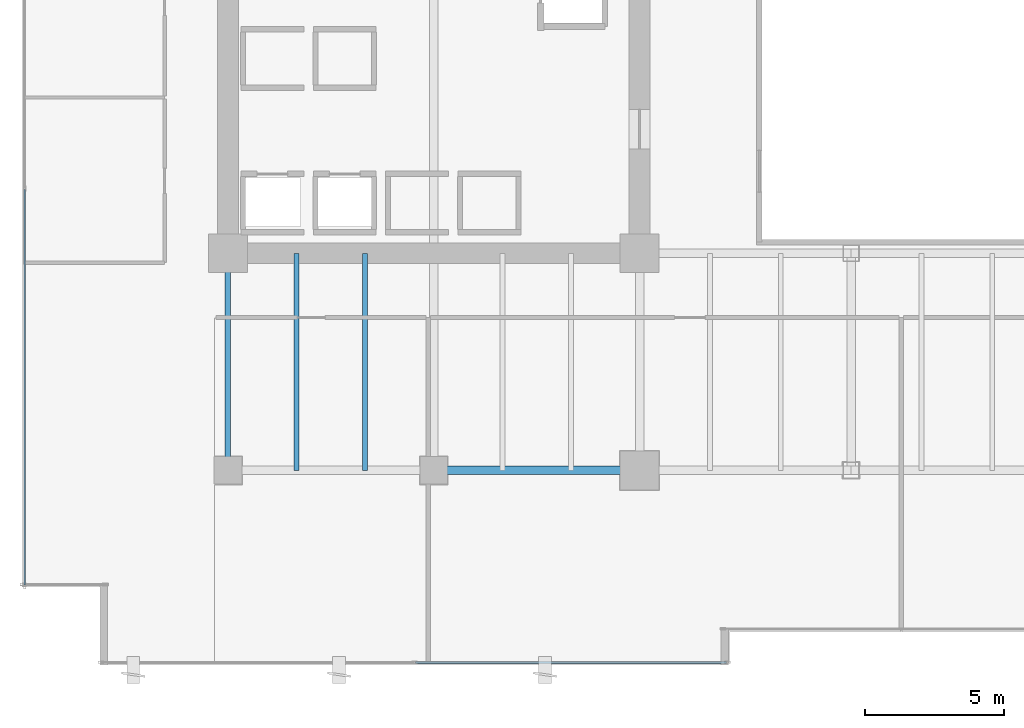
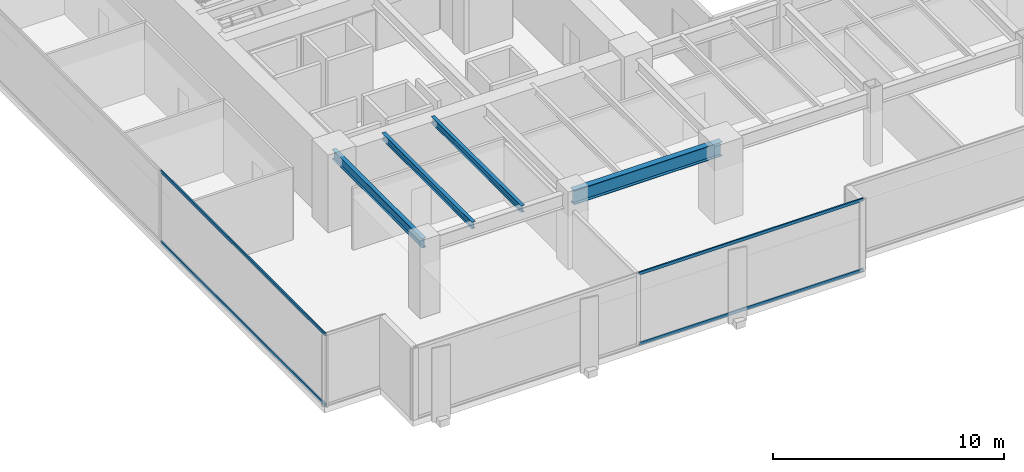
# One storey, part 3 of 37: 4 beams, 4 members, 2 elements without a shape of their own.
"""IFC4 building model written with IfcOpenShell, lengths in metres."""

import ifcopenshell
import ifcopenshell.guid

model = None  # the IFC model being written
_history = None  # IfcOwnerHistory: only IFC2X3 demands one
_inside = {}  # id of a spatial element -> (the spatial element, [elements in it])
_under = {}  # id of a project, library or spatial element -> (it, [spatial elements below it])
_declared = {}  # id of a project -> (the project, [libraries it declares])
_typed = {}  # id of a type object -> (the type object, [elements of that type])
_made_of = {}  # id of a material, layer set ... -> (it, [elements and type objects made of it])


def new_model(schema):
    """Start an empty IFC model of exactly this schema.

    Asked for "IFC4X3", IfcOpenShell would pick the latest addendum, in which some entities
    have other attributes; the version numbers below select the first issue.
    IFC2X3 requires an IfcOwnerHistory on every rooted entity: one is made here for all.
    """
    global model, _history
    if schema == "IFC4X3":
        model = ifcopenshell.file(schema_version=(4, 3, 0, 0))
    else:
        model = ifcopenshell.file(schema=schema)
    _inside.clear()
    _under.clear()
    _declared.clear()
    _typed.clear()
    _made_of.clear()
    _history = None
    if model.schema == "IFC2X3":
        org = make("IfcOrganization", Name="unknown")
        user = make(
            "IfcPersonAndOrganization",
            ThePerson=make("IfcPerson", FamilyName="unknown"),
            TheOrganization=org,
        )
        app = make(
            "IfcApplication",
            ApplicationDeveloper=org,
            Version="unknown",
            ApplicationFullName="unknown",
            ApplicationIdentifier="unknown",
        )
        _history = make(
            "IfcOwnerHistory",
            OwningUser=user,
            OwningApplication=app,
            ChangeAction="ADDED",
            CreationDate=0,
        )
    return model


def make(cls, **values):
    """One entity of the class cls with the attributes given. An attribute that is None is left unset."""
    return model.create_entity(
        cls, **{name: value for name, value in values.items() if value is not None}
    )


def rooted(cls, **values):
    """An entity with a GlobalId (a new one), such as an element, a storey or a relation."""
    return make(cls, GlobalId=ifcopenshell.guid.new(), OwnerHistory=_history, **values)


def si_unit(unit_type, name, prefix=None):
    """IfcSIUnit, for example si_unit("LENGTHUNIT", "METRE", prefix="MILLI")."""
    return make("IfcSIUnit", UnitType=unit_type, Prefix=prefix, Name=name)


def assignment(units):
    """IfcUnitAssignment: the units of a project."""
    return None if units is None else make("IfcUnitAssignment", Units=units)


def point(xyz):
    """IfcCartesianPoint."""
    return None if xyz is None else make("IfcCartesianPoint", Coordinates=xyz)


def direction(xyz):
    """IfcDirection."""
    return None if xyz is None else make("IfcDirection", DirectionRatios=xyz)


def frame(location, z_axis=None, x_axis=None):
    """IfcAxis2Placement3D, a coordinate frame: its origin and axes. An axis left out is left unset."""
    return make(
        "IfcAxis2Placement3D",
        Location=point(location),
        Axis=direction(z_axis),
        RefDirection=direction(x_axis),
    )


def frame_2d(location, x_axis=None):
    """IfcAxis2Placement2D, a coordinate frame in the plane: its origin and x axis."""
    return make(
        "IfcAxis2Placement2D", Location=point(location), RefDirection=direction(x_axis)
    )


def origin():
    """The frame at (0, 0, 0) with its axes left unset."""
    return frame((0.0, 0.0, 0.0))


def origin_2d():
    """The frame at (0, 0) in the plane with its x axis left unset."""
    return frame_2d((0.0, 0.0))


def place(relative_to, where):
    """IfcLocalPlacement: puts the frame where relative to a parent placement (None: the world)."""
    return make(
        "IfcLocalPlacement", PlacementRelTo=relative_to, RelativePlacement=where
    )


def context(
    kind, dimensions, precision=None, world=None, true_north=None, identifier=None
):
    """IfcGeometricRepresentationContext, for example the 3D "Model" context."""
    return make(
        "IfcGeometricRepresentationContext",
        ContextIdentifier=identifier,
        ContextType=kind,
        CoordinateSpaceDimension=dimensions,
        Precision=precision,
        WorldCoordinateSystem=world,
        TrueNorth=true_north,
    )


def subcontext(parent, identifier, kind, view, scale=None):
    """IfcGeometricRepresentationSubContext, for example "Body" below "Model"."""
    return make(
        "IfcGeometricRepresentationSubContext",
        ContextIdentifier=identifier,
        ContextType=kind,
        ParentContext=parent,
        TargetScale=scale,
        TargetView=view,
    )


def project(units=None, contexts=None):
    """IfcProject with its units and contexts."""
    return rooted(
        "IfcProject",
        Name="project",
        RepresentationContexts=contexts,
        UnitsInContext=assignment(units),
    )


def spatial(cls, under=None, at=None, **own):
    """A site, building, storey or space (cls), placed at a placement, below another one or the project."""
    s = rooted(cls, ObjectPlacement=at, **own)
    if under is not None:
        _under.setdefault(under.id(), (under, []))[1].append(s)
    return s


def profile(cls, at=None, kind="AREA", **sizes):
    """A parametric profile (cls). Its sizes go by their IFC names, for example OverallWidth=200.0."""
    return make(cls, ProfileType=kind, Position=at, **sizes)


def hollow_rectangle(**sizes):
    """IfcRectangleHollowProfileDef."""
    return profile("IfcRectangleHollowProfileDef", **sizes)


def i_section(**sizes):
    """IfcIShapeProfileDef."""
    return profile("IfcIShapeProfileDef", **sizes)


def extrude(swept, where, along, depth):
    """IfcExtrudedAreaSolid: the profile swept, set in the frame where, extruded along a direction by depth."""
    return make(
        "IfcExtrudedAreaSolid",
        SweptArea=swept,
        Position=where,
        ExtrudedDirection=direction(along),
        Depth=depth,
    )


def shape(context_of_items, identifier, shape_type, items):
    """IfcShapeRepresentation: the items that make up one representation, for example the "Body"."""
    return make(
        "IfcShapeRepresentation",
        ContextOfItems=context_of_items,
        RepresentationIdentifier=identifier,
        RepresentationType=shape_type,
        Items=items,
    )


def source(mapping_origin, context_of_items, identifier, shape_type, items):
    """IfcRepresentationMap: a shape defined once, which mapped items show again and again."""
    return make(
        "IfcRepresentationMap",
        MappingOrigin=mapping_origin,
        MappedRepresentation=shape(context_of_items, identifier, shape_type, items),
    )


def transform(
    local_origin,
    x_axis=None,
    y_axis=None,
    z_axis=None,
    scale=None,
    scale2=None,
    scale3=None,
    uniform=True,
):
    """IfcCartesianTransformationOperator3D, or its non-uniform kind. x_axis, y_axis, z_axis: its Axis1, 2, 3."""
    if uniform:
        return make(
            "IfcCartesianTransformationOperator3D",
            Axis1=direction(x_axis),
            Axis2=direction(y_axis),
            LocalOrigin=point(local_origin),
            Scale=scale,
            Axis3=direction(z_axis),
        )
    return make(
        "IfcCartesianTransformationOperator3DnonUniform",
        Axis1=direction(x_axis),
        Axis2=direction(y_axis),
        LocalOrigin=point(local_origin),
        Scale=scale,
        Axis3=direction(z_axis),
        Scale2=scale2,
        Scale3=scale3,
    )


def mapped(mapping_source, mapping_target):
    """IfcMappedItem: shows the shape of a source again, moved by a transform."""
    return make(
        "IfcMappedItem", MappingSource=mapping_source, MappingTarget=mapping_target
    )


def material(Name=None, Category=None):
    """IfcMaterial."""
    return make("IfcMaterial", Name=Name, Category=Category)


def layer(
    of_material, thickness, ventilated=None, Name=None, Category=None, Priority=None
):
    """IfcMaterialLayer: one layer of a wall or slab, of a material (None: an air gap)."""
    return make(
        "IfcMaterialLayer",
        Material=of_material,
        LayerThickness=thickness,
        IsVentilated=ventilated,
        Name=Name,
        Category=Category,
        Priority=Priority,
    )


def layer_set(layers, Name=None):
    """IfcMaterialLayerSet."""
    return make("IfcMaterialLayerSet", MaterialLayers=layers, LayerSetName=Name)


def material_profile(
    of_material, cross_section, Name=None, Category=None, Priority=None
):
    """IfcMaterialProfile: a cross section and its material."""
    return make(
        "IfcMaterialProfile",
        Name=Name,
        Material=of_material,
        Profile=cross_section,
        Priority=Priority,
        Category=Category,
    )


def profile_set(profiles, Name=None, composite=None):
    """IfcMaterialProfileSet."""
    return make(
        "IfcMaterialProfileSet",
        Name=Name,
        MaterialProfiles=profiles,
        CompositeProfile=composite,
    )


def made_of(thing, what):
    """Note that an element or type object is made of a material, layer set ...; save() writes the relation."""
    if what is not None:
        _made_of.setdefault(what.id(), (what, []))[1].append(thing)
    return thing


def type_object(cls, material=None, **own):
    """A type object (cls), such as IfcWallType, which elements share."""
    return made_of(rooted(cls, **own), material)


def type_shapes(of_type, sources):
    """Give a type object the sources (RepresentationMaps) that its elements show as mapped items."""
    of_type.RepresentationMaps = sources


def element(
    cls,
    number,
    at=None,
    inside=None,
    cuts=None,
    type_object=None,
    material=None,
    context=None,
    identifier="Body",
    shape_type=None,
    held_by="IfcProductDefinitionShape",
    body=None,
    shapes=None,
    **own,
):
    """One element of the class cls, such as IfcWall. Its Tag is "e" and its number.

    at: its placement. inside: the storey or other place that contains it. cuts: it is an
    opening in that element (IfcRelVoidsElement). A single representation is given by context,
    identifier, shape_type and body (its items); several are given by shapes. held_by: the class
    of the entity that holds the representations. save() writes the other relations.
    """
    e = rooted(cls, Tag="e%d" % number, ObjectPlacement=at, **own)
    if body is not None:
        shapes = [shape(context, identifier, shape_type, body)]
    if shapes is not None:
        e.Representation = make(held_by, Representations=shapes)
    if inside is not None:
        _inside.setdefault(inside.id(), (inside, []))[1].append(e)
    if cuts is not None:
        rooted(
            "IfcRelVoidsElement", RelatingBuildingElement=cuts, RelatedOpeningElement=e
        )
    if type_object is not None:
        _typed.setdefault(type_object.id(), (type_object, []))[1].append(e)
    return made_of(e, material)


def aggregate(whole, parts):
    """IfcRelAggregates: a whole, such as a stair, and the parts it consists of."""
    return rooted("IfcRelAggregates", RelatingObject=whole, RelatedObjects=parts)


def save(model, path):
    """Write the relations noted so far, then the file.

    IfcRelAggregates (storeys below a building ...), IfcRelContainedInSpatialStructure (elements
    in a storey), IfcRelDefinesByType, IfcRelAssociatesMaterial and IfcRelDeclares: one each for
    every whole, place, type object, material and project.
    """
    for whole, parts in _under.values():
        aggregate(whole, parts)
    for where, things in _inside.values():
        rooted(
            "IfcRelContainedInSpatialStructure",
            RelatedElements=things,
            RelatingStructure=where,
        )
    for kind, things in _typed.values():
        rooted("IfcRelDefinesByType", RelatedObjects=things, RelatingType=kind)
    for what, things in _made_of.values():
        rooted("IfcRelAssociatesMaterial", RelatedObjects=things, RelatingMaterial=what)
    for by, libraries in _declared.values():
        rooted("IfcRelDeclares", RelatingContext=by, RelatedDefinitions=libraries)
    model.write(path)


model = new_model("IFC4")

# Units and contexts
model_context = context("Model", 3, precision=1e-05, world=origin(), true_north=direction((0.0, 1.0)))
body_context = subcontext(model_context, "Body", "Model", "MODEL_VIEW")
ifc_project = project(units=[si_unit("LENGTHUNIT", "METRE"), si_unit("AREAUNIT", "SQUARE_METRE"), si_unit("VOLUMEUNIT", "CUBIC_METRE"), si_unit("PLANEANGLEUNIT", "RADIAN"), si_unit("MASSUNIT", "GRAM", prefix="KILO")], contexts=[model_context])

# Site, building, storey
site_placement = place(None, origin())
site = spatial("IfcSite", under=ifc_project, at=site_placement, CompositionType="ELEMENT")
building_placement = place(site_placement, origin())
building = spatial("IfcBuilding", under=site, at=building_placement, Name="Haelvirn Gate Laboratories", CompositionType="ELEMENT")
storey_placement = place(building_placement, frame((0.0, 0.0, 74.39990234375)))
storey = spatial("IfcBuildingStorey", under=building, at=storey_placement, Name="L18", CompositionType="ELEMENT", Elevation=74.39990234375)

# Beams
ifc_material_1 = material(Name="Steel SM355", Category="steel")
ifc_material_profile_1 = material_profile(ifc_material_1, i_section(OverallWidth=0.300048828125, OverallDepth=0.75, WebThickness=0.013916015625, FlangeThickness=0.02392578125, at=origin_2d()), Name="H-750x300x14x24")
ifc_profile_set_1 = profile_set([ifc_material_profile_1], Name="Steel SM355")
beam_type_1 = type_object("IfcBeamType", Name="BM-G-750", PredefinedType="BEAM", material=ifc_profile_set_1)
shared_shape_1 = source(origin(), body_context, "Body", "SweptSolid", [
    extrude(i_section(OverallWidth=0.300048828125, OverallDepth=0.75, WebThickness=0.013916015625, FlangeThickness=0.02392578125, at=origin_2d()), origin(), (0.0, 0.0, 1.0), 7.39990234375),
])
type_shapes(beam_type_1, [shared_shape_1])
beam_1_placement = place(storey_placement, frame((14.800048828125, 7.0, 3.405029296875), z_axis=(1.0, 0.0, 0.0), x_axis=(0.0, 1.0, 0.0)))
element("IfcBeam", 1, at=beam_1_placement, inside=storey, type_object=beam_type_1, Name="L18 Primary Girder Y7.0 (14.8-22.2)", PredefinedType="BEAM", context=body_context, shape_type="MappedRepresentation", body=[
    mapped(shared_shape_1, transform((0.0, 0.0, 0.0), scale=1.0)),
])
ifc_material_profile_2 = material_profile(ifc_material_1, i_section(OverallWidth=0.199951171875, OverallDepth=0.5, WebThickness=0.010009765625, FlangeThickness=0.01611328125, at=origin_2d()), Name="H-500x200x10x16")
ifc_profile_set_2 = profile_set([ifc_material_profile_2], Name="Steel SM355")
beam_type_2 = type_object("IfcBeamType", Name="BM-SP-500", PredefinedType="SPANDREL", material=ifc_profile_set_2)
shared_shape_2 = source(origin(), body_context, "Body", "SweptSolid", [
    extrude(i_section(OverallWidth=0.199951171875, OverallDepth=0.5, WebThickness=0.010009765625, FlangeThickness=0.01611328125, at=origin_2d()), origin(), (0.0, 0.0, 1.0), 7.800048828125),
])
type_shapes(beam_type_2, [shared_shape_2])
beam_2_placement = place(storey_placement, frame((7.39990234375, 7.0, 3.530029296875), z_axis=(0.0, 1.0, 0.0), x_axis=(-1.0, 0.0, 0.0)))
element("IfcBeam", 2, at=beam_2_placement, inside=storey, type_object=beam_type_2, Name="L18 Perimeter Spandrel X7.4 (7.0-14.8)", PredefinedType="SPANDREL", context=body_context, shape_type="MappedRepresentation", body=[
    mapped(shared_shape_2, transform((0.0, 0.0, 0.0), scale=1.0)),
])
ifc_material_profile_3 = material_profile(ifc_material_1, i_section(OverallWidth=0.175048828125, OverallDepth=0.35009765625, WebThickness=0.007080078125, FlangeThickness=0.010986328125, at=origin_2d()), Name="H-350x175x7x11")
ifc_profile_set_3 = profile_set([ifc_material_profile_3], Name="Steel SM355")
beam_type_3 = type_object("IfcBeamType", Name="BM-J-350", PredefinedType="JOIST", material=ifc_profile_set_3)
shared_shape_3 = source(origin(), body_context, "Body", "SweptSolid", [
    extrude(i_section(OverallWidth=0.175048828125, OverallDepth=0.35009765625, WebThickness=0.007080078125, FlangeThickness=0.010986328125, at=origin_2d()), origin(), (0.0, 0.0, 1.0), 7.800048828125),
])
type_shapes(beam_type_3, [shared_shape_3])
for number, where, z_axis, x_axis, name in (
    (3, (9.8701171875, 7.0, 3.60498046875), (0.0, 1.0, 0.0), (-1.0, 0.0, 0.0), "L18 Composite Lab Joist South X9.87"),
    (4, (12.330078125, 7.0, 3.60498046875), (0.0, 1.0, 0.0), (-1.0, 0.0, 0.0), "L18 Composite Lab Joist South X12.33"),
):
    element("IfcBeam", number, at=place(storey_placement, frame(where, z_axis=z_axis, x_axis=x_axis)), inside=storey, type_object=beam_type_3, Name=name, PredefinedType="JOIST", context=body_context, shape_type="MappedRepresentation", body=[
        mapped(shared_shape_3, transform((0.0, 0.0, 0.0), scale=1.0)),
    ])

# Curtain wall, members
ifc_material_2 = material(Name="Anodised bronze unitised aluminium & triple low-E glass", Category="aluminium")
ifc_layer = layer(ifc_material_2, 0.18408203125, Name="CW-SYS-2")
ifc_layer_set = layer_set([ifc_layer], Name="Anodised bronze unitised aluminium & triple low-E glass")
curtain_wall_type = type_object("IfcCurtainWallType", Name="CW-SYS-2", PredefinedType="NOTDEFINED", material=ifc_layer_set)
curtain_wall_1_placement = place(storey_placement, origin())
curtain_wall_1 = element("IfcCurtainWall", 5, at=curtain_wall_1_placement, inside=storey, type_object=curtain_wall_type, Name="L18 Unitised Curtain Wall CW-L18-P0-E00-1", PredefinedType="NOTDEFINED")
ifc_material_3 = material(Name="Extruded aluminium 6063-T6 (anodised bronze)", Category="aluminium")
ifc_material_profile_4 = material_profile(ifc_material_3, hollow_rectangle(XDim=0.070068359375, YDim=0.159912109375, WallThickness=0.0048828125, at=origin_2d()), Name="CWT-160x70x5")
ifc_profile_set_4 = profile_set([ifc_material_profile_4], Name="Extruded aluminium 6063-T6 (anodised bronze)")
member_type = type_object("IfcMemberType", Name="CWT-T160", PredefinedType="USERDEFINED", material=ifc_profile_set_4)
shared_shape_4 = source(origin(), body_context, "Body", "SweptSolid", [
    extrude(hollow_rectangle(XDim=0.070068359375, YDim=0.159912109375, WallThickness=0.0048828125, at=origin_2d()), origin(), (0.0, 0.0, 1.0), 11.1875),
])
member_1_placement = place(storey_placement, frame((14.137451171875, 0.10009765625, 0.03515625), z_axis=(1.0, 0.0, 0.0), x_axis=(0.0, 1.0, 0.0)))
member_1 = element("IfcMember", 6, at=member_1_placement, type_object=member_type, Name="CW2 transom 2.1", ObjectType="TRANSOM", PredefinedType="USERDEFINED", context=body_context, shape_type="MappedRepresentation", body=[
    mapped(shared_shape_4, transform((0.0, 0.0, 0.0), scale=1.0)),
])
member_2_placement = place(storey_placement, frame((14.137451171875, 0.10009765625, 3.7451171875), z_axis=(1.0, 0.0, 0.0), x_axis=(0.0, 1.0, 0.0)))
member_2 = element("IfcMember", 7, at=member_2_placement, type_object=member_type, Name="CW2 transom 2.2", ObjectType="TRANSOM", PredefinedType="USERDEFINED", context=body_context, shape_type="MappedRepresentation", body=[
    mapped(shared_shape_4, transform((0.0, 0.0, 0.0), scale=1.0)),
])
aggregate(curtain_wall_1, [member_1, member_2])

curtain_wall_2_placement = place(storey_placement, origin())
curtain_wall_2 = element("IfcCurtainWall", 8, at=curtain_wall_2_placement, inside=storey, type_object=curtain_wall_type, Name="L18 Unitised Curtain Wall CW-L18-P0-E17", PredefinedType="NOTDEFINED")
shared_shape_5 = source(origin(), body_context, "Body", "SweptSolid", [
    extrude(hollow_rectangle(XDim=0.070068359375, YDim=0.159912109375, WallThickness=0.0048828125, at=origin_2d()), origin(), (0.0, 0.0, 1.0), 14.220947265625),
])
type_shapes(member_type, [shared_shape_4, shared_shape_5])
member_3_placement = place(storey_placement, frame((0.10009765625, 17.095947265625, 0.03515625), z_axis=(0.0, -1.0, 0.0), x_axis=(1.0, 0.0, 0.0)))
member_3 = element("IfcMember", 9, at=member_3_placement, type_object=member_type, Name="CW2 transom 3.1", ObjectType="TRANSOM", PredefinedType="USERDEFINED", context=body_context, shape_type="MappedRepresentation", body=[
    mapped(shared_shape_5, transform((0.0, 0.0, 0.0), scale=1.0)),
])
member_4_placement = place(storey_placement, frame((0.10009765625, 17.095947265625, 3.7451171875), z_axis=(0.0, -1.0, 0.0), x_axis=(1.0, 0.0, 0.0)))
member_4 = element("IfcMember", 10, at=member_4_placement, type_object=member_type, Name="CW2 transom 3.2", ObjectType="TRANSOM", PredefinedType="USERDEFINED", context=body_context, shape_type="MappedRepresentation", body=[
    mapped(shared_shape_5, transform((0.0, 0.0, 0.0), scale=1.0)),
])
aggregate(curtain_wall_2, [member_3, member_4])

save(model, "model.ifc")
